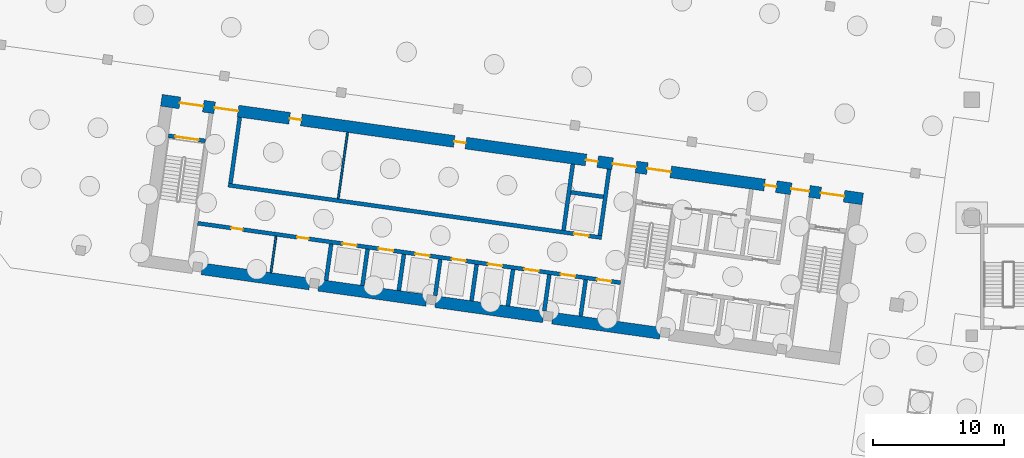
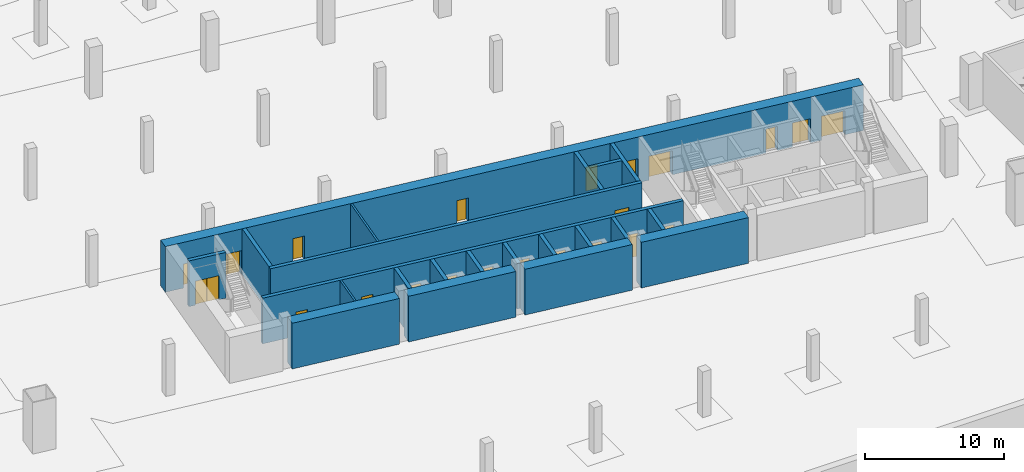
# One storey, part 5 of 19: 22 doors, 22 walls, 22 openings.
"""IFC4 building model written with IfcOpenShell, lengths in metres."""

from ifc_helpers import new_model, si_unit, direction, frame, frame_2d, origin, place, context, subcontext, project, spatial, rectangle, extrude, material, layer, layer_set, type_object, element, fill, save


model = new_model("IFC4")

# Units and contexts
model_context = context("Model", 3, precision=1e-05, world=origin(), true_north=direction((0.0, 1.0)))
body_context = subcontext(model_context, "Body", "Model", "MODEL_VIEW")
ifc_project = project(units=[si_unit("LENGTHUNIT", "METRE"), si_unit("AREAUNIT", "SQUARE_METRE"), si_unit("VOLUMEUNIT", "CUBIC_METRE"), si_unit("PLANEANGLEUNIT", "RADIAN"), si_unit("MASSUNIT", "GRAM", prefix="KILO")], contexts=[model_context])

# Site, building, storey
site_placement = place(None, origin())
site = spatial("IfcSite", under=ifc_project, at=site_placement, CompositionType="ELEMENT")
building_placement = place(site_placement, origin())
building = spatial("IfcBuilding", under=site, at=building_placement, Name="Mirante Cascada Hotel Towers", CompositionType="ELEMENT")
storey_placement = place(building_placement, frame((0.0, 0.0, -9.0)))
storey = spatial("IfcBuildingStorey", under=building, at=storey_placement, Name="B2", CompositionType="ELEMENT", Elevation=-9.0)

# Walls
ifc_material_1 = material(Name="Masonry block", Category="masonry")
ifc_layer_1 = layer(ifc_material_1, 0.15)
ifc_layer_set_1 = layer_set([ifc_layer_1], Name="Core room partition 150 block EI 30")
wall_type_1 = type_object("IfcWallType", Name="Core room partition 150 block EI 30", PredefinedType="PARTITIONING", material=ifc_layer_set_1)
wall_1_placement = place(storey_placement, frame((-80.448, -13.1879, 0.0), z_axis=(0.0, 0.0, 1.0), x_axis=(0.139176, 0.9902677, 0.0)))
element("IfcWall", 1, at=wall_1_placement, inside=storey, type_object=wall_type_1, Name="Core wall partition T1 B2 4", PredefinedType="PARTITIONING", context=body_context, shape_type="SweptSolid", body=[
    extrude(rectangle(XDim=2.8001, YDim=0.15, at=frame_2d((1.4, 0.0))), origin(), (0.0, 0.0, 1.0), 4.0),
])
wall_2_placement = place(storey_placement, frame((-75.3131, -7.5476, 0.0), z_axis=(0.0, 0.0, 1.0), x_axis=(0.1391782, 0.9902673, 0.0)))
element("IfcWall", 2, at=wall_2_placement, inside=storey, type_object=wall_type_1, Name="Core wall partition T1 B2 5", PredefinedType="PARTITIONING", context=body_context, shape_type="SweptSolid", body=[
    extrude(rectangle(XDim=5.0999, YDim=0.15, at=frame_2d((2.55, 0.0))), origin(), (0.0, 0.0, 1.0), 4.0),
])

# Wall, opening, door
ifc_material_2 = material(Name="Concrete C50/60", Category="concrete")
ifc_layer_2 = layer(ifc_material_2, 0.3)
ifc_layer_set_2 = layer_set([ifc_layer_2], Name="RC core wall 300 C50/60")
wall_type_2 = type_object("IfcWallType", Name="RC core wall 300 C50/60", PredefinedType="SHEAR", material=ifc_layer_set_2)
wall_3_placement = place(storey_placement, frame((-85.4489, -3.1441, 0.0), z_axis=(0.0, 0.0, 1.0), x_axis=(-0.9902697, 0.1391613, 0.0)))
wall_3 = element("IfcWall", 3, at=wall_3_placement, inside=storey, type_object=wall_type_2, Name="Core wall T1:B2:11", PredefinedType="SHEAR", context=body_context, shape_type="SweptSolid", body=[
    extrude(rectangle(XDim=2.8499, YDim=0.3, at=frame_2d((1.425, 0.0))), origin(), (0.0, 0.0, 1.0), 4.0),
])
opening_1_placement = place(wall_3_placement, frame((0.525, 0.0, 0.0)))
opening_1 = element("IfcOpeningElement", 4, at=opening_1_placement, cuts=wall_3, Name="Opening D1-B2-C20", PredefinedType="OPENING", context=body_context, shape_type="SweptSolid", body=[
    extrude(rectangle(XDim=1.8, YDim=2.1, at=frame_2d((0.9, 1.05))), frame((0.0, 0.15, 0.0), z_axis=(0.0, -1.0, 0.0), x_axis=(1.0, 0.0, 0.0)), (0.0, 0.0, 1.0), 0.3),
])
ifc_material_3 = material(Name="Hollow metal fire door leaf")
door_type_1 = type_object("IfcDoorType", Name="Double fire door 1800x2100 FD60", OperationType="DOUBLE_DOOR_SINGLE_SWING", PredefinedType="DOOR", material=ifc_material_3)
door_1_placement = place(opening_1_placement, origin())
door_1 = element("IfcDoor", 5, at=door_1_placement, inside=storey, type_object=door_type_1, Name="Stair door T1 B2 20", OperationType="DOUBLE_DOOR_SINGLE_SWING", OverallHeight=2.1, OverallWidth=1.8, PredefinedType="DOOR", context=body_context, shape_type="SweptSolid", body=[
    extrude(rectangle(XDim=0.895, YDim=2.1, at=frame_2d((0.4475, 1.05))), frame((0.0, 0.025, 0.0), z_axis=(0.0, -1.0, 0.0), x_axis=(1.0, 0.0, 0.0)), (0.0, 0.0, 1.0), 0.05),
    extrude(rectangle(XDim=0.895, YDim=2.1, at=frame_2d((1.3525, 1.05))), frame((0.0, 0.025, 0.0), z_axis=(0.0, -1.0, 0.0), x_axis=(1.0, 0.0, 0.0)), (0.0, 0.0, 1.0), 0.05),
])
fill(opening_1, door_1)

# Wall, openings, doors
wall_4_placement = place(storey_placement, frame((-53.7953, -13.9547, 0.0), z_axis=(0.0, 0.0, 1.0), x_axis=(-0.990268, 0.1391733, 0.0)))
wall_4 = element("IfcWall", 6, at=wall_4_placement, inside=storey, type_object=wall_type_2, Name="Core wall T1:B2:24", PredefinedType="SHEAR", context=body_context, shape_type="SweptSolid", body=[
    extrude(rectangle(XDim=32.5501, YDim=0.3, at=frame_2d((16.275, 0.0))), origin(), (0.0, 0.0, 1.0), 4.0),
])
opening_2_placement = place(wall_4_placement, frame((0.7, 0.0, 0.0)))
opening_2 = element("IfcOpeningElement", 7, at=opening_2_placement, cuts=wall_4, Name="Opening LD", PredefinedType="OPENING", context=body_context, shape_type="SweptSolid", body=[
    extrude(rectangle(XDim=1.1, YDim=2.1, at=frame_2d((0.55, 1.05))), frame((0.0, 0.15, 0.0), z_axis=(0.0, -1.0, 0.0), x_axis=(1.0, 0.0, 0.0)), (0.0, 0.0, 1.0), 0.3),
])
opening_3_placement = place(wall_4_placement, frame((3.5, 0.0, 0.0)))
opening_3 = element("IfcOpeningElement", 8, at=opening_3_placement, cuts=wall_4, Name="Opening LD", PredefinedType="OPENING", context=body_context, shape_type="SweptSolid", body=[
    extrude(rectangle(XDim=1.1, YDim=2.1, at=frame_2d((0.55, 1.05))), frame((0.0, 0.15, 0.0), z_axis=(0.0, -1.0, 0.0), x_axis=(1.0, 0.0, 0.0)), (0.0, 0.0, 1.0), 0.3),
])
opening_4_placement = place(wall_4_placement, frame((6.3, 0.0, 0.0)))
opening_4 = element("IfcOpeningElement", 9, at=opening_4_placement, cuts=wall_4, Name="Opening LD", PredefinedType="OPENING", context=body_context, shape_type="SweptSolid", body=[
    extrude(rectangle(XDim=1.1, YDim=2.1, at=frame_2d((0.55, 1.05))), frame((0.0, 0.15, 0.0), z_axis=(0.0, -1.0, 0.0), x_axis=(1.0, 0.0, 0.0)), (0.0, 0.0, 1.0), 0.3),
])
opening_5_placement = place(wall_4_placement, frame((9.1, 0.0, 0.0)))
opening_5 = element("IfcOpeningElement", 10, at=opening_5_placement, cuts=wall_4, Name="Opening LD", PredefinedType="OPENING", context=body_context, shape_type="SweptSolid", body=[
    extrude(rectangle(XDim=1.1, YDim=2.1, at=frame_2d((0.55, 1.05))), frame((0.0, 0.15, 0.0), z_axis=(0.0, -1.0, 0.0), x_axis=(1.0, 0.0, 0.0)), (0.0, 0.0, 1.0), 0.3),
])
opening_6_placement = place(wall_4_placement, frame((11.9, 0.0, 0.0)))
opening_6 = element("IfcOpeningElement", 11, at=opening_6_placement, cuts=wall_4, Name="Opening LD", PredefinedType="OPENING", context=body_context, shape_type="SweptSolid", body=[
    extrude(rectangle(XDim=1.1, YDim=2.1, at=frame_2d((0.55, 1.05))), frame((0.0, 0.15, 0.0), z_axis=(0.0, -1.0, 0.0), x_axis=(1.0, 0.0, 0.0)), (0.0, 0.0, 1.0), 0.3),
])
opening_7_placement = place(wall_4_placement, frame((14.7, 0.0, 0.0)))
opening_7 = element("IfcOpeningElement", 12, at=opening_7_placement, cuts=wall_4, Name="Opening LD", PredefinedType="OPENING", context=body_context, shape_type="SweptSolid", body=[
    extrude(rectangle(XDim=1.1, YDim=2.1, at=frame_2d((0.55, 1.05))), frame((0.0, 0.15, 0.0), z_axis=(0.0, -1.0, 0.0), x_axis=(1.0, 0.0, 0.0)), (0.0, 0.0, 1.0), 0.3),
])
opening_8_placement = place(wall_4_placement, frame((17.5, 0.0, 0.0)))
opening_8 = element("IfcOpeningElement", 13, at=opening_8_placement, cuts=wall_4, Name="Opening LD", PredefinedType="OPENING", context=body_context, shape_type="SweptSolid", body=[
    extrude(rectangle(XDim=1.1, YDim=2.1, at=frame_2d((0.55, 1.05))), frame((0.0, 0.15, 0.0), z_axis=(0.0, -1.0, 0.0), x_axis=(1.0, 0.0, 0.0)), (0.0, 0.0, 1.0), 0.3),
])
opening_9_placement = place(wall_4_placement, frame((20.3, 0.0, 0.0)))
opening_9 = element("IfcOpeningElement", 14, at=opening_9_placement, cuts=wall_4, Name="Opening LD", PredefinedType="OPENING", context=body_context, shape_type="SweptSolid", body=[
    extrude(rectangle(XDim=1.1, YDim=2.1, at=frame_2d((0.55, 1.05))), frame((0.0, 0.15, 0.0), z_axis=(0.0, -1.0, 0.0), x_axis=(1.0, 0.0, 0.0)), (0.0, 0.0, 1.0), 0.3),
])
opening_10_placement = place(wall_4_placement, frame((24.0, 0.0, 0.0)))
opening_10 = element("IfcOpeningElement", 15, at=opening_10_placement, cuts=wall_4, Name="Opening D1-B2-C28", PredefinedType="OPENING", context=body_context, shape_type="SweptSolid", body=[
    extrude(rectangle(XDim=0.9, YDim=2.1, at=frame_2d((0.45, 1.05))), frame((0.0, 0.15, 0.0), z_axis=(0.0, -1.0, 0.0), x_axis=(1.0, 0.0, 0.0)), (0.0, 0.0, 1.0), 0.3),
])
opening_11_placement = place(wall_4_placement, frame((29.075, 0.0, 0.0)))
opening_11 = element("IfcOpeningElement", 16, at=opening_11_placement, cuts=wall_4, Name="Opening D1-B2-C29", PredefinedType="OPENING", context=body_context, shape_type="SweptSolid", body=[
    extrude(rectangle(XDim=0.9, YDim=2.1, at=frame_2d((0.45, 1.05))), frame((0.0, 0.15, 0.0), z_axis=(0.0, -1.0, 0.0), x_axis=(1.0, 0.0, 0.0)), (0.0, 0.0, 1.0), 0.3),
])
ifc_material_4 = material(Name="Hollow metal fire door leaf")
door_type_2 = type_object("IfcDoorType", Name="Fire door 900x2100 FD60", OperationType="NOTDEFINED", PredefinedType="DOOR", material=ifc_material_4)
door_2_placement = place(opening_10_placement, origin())
door_2 = element("IfcDoor", 17, at=door_2_placement, inside=storey, type_object=door_type_2, Name="Room door T1 B2 28", OperationType="SINGLE_SWING_LEFT", OverallHeight=2.1, OverallWidth=0.9, PredefinedType="DOOR", context=body_context, shape_type="SweptSolid", body=[
    extrude(rectangle(XDim=0.9, YDim=2.1, at=frame_2d((0.45, 1.05))), frame((0.0, 0.025, 0.0), z_axis=(0.0, -1.0, 0.0), x_axis=(1.0, 0.0, 0.0)), (0.0, 0.0, 1.0), 0.05),
])
fill(opening_10, door_2)
door_3_placement = place(opening_11_placement, origin())
door_3 = element("IfcDoor", 18, at=door_3_placement, inside=storey, type_object=door_type_2, Name="Room door T1 B2 29", OperationType="SINGLE_SWING_LEFT", OverallHeight=2.1, OverallWidth=0.9, PredefinedType="DOOR", context=body_context, shape_type="SweptSolid", body=[
    extrude(rectangle(XDim=0.9, YDim=2.1, at=frame_2d((0.45, 1.05))), frame((0.0, 0.025, 0.0), z_axis=(0.0, -1.0, 0.0), x_axis=(1.0, 0.0, 0.0)), (0.0, 0.0, 1.0), 0.05),
])
fill(opening_11, door_3)
ifc_material_5 = material(Name="Stainless steel", Category="steel")
door_type_3 = type_object("IfcDoorType", Name="Lift landing door 1100x2100 EI 120", OperationType="DOUBLE_DOOR_SLIDING", PredefinedType="DOOR", material=ifc_material_5)
door_4_placement = place(opening_2_placement, origin())
door_4 = element("IfcDoor", 19, at=door_4_placement, inside=storey, type_object=door_type_3, Name="Lift landing door LR1-1 B2", OperationType="DOUBLE_DOOR_SLIDING", OverallHeight=2.1, OverallWidth=1.1, PredefinedType="DOOR", context=body_context, shape_type="SweptSolid", body=[
    extrude(rectangle(XDim=0.545, YDim=2.1, at=frame_2d((0.2725, 1.05))), frame((0.0, 0.025, 0.0), z_axis=(0.0, -1.0, 0.0), x_axis=(1.0, 0.0, 0.0)), (0.0, 0.0, 1.0), 0.05),
    extrude(rectangle(XDim=0.545, YDim=2.1, at=frame_2d((0.8275, 1.05))), frame((0.0, 0.025, 0.0), z_axis=(0.0, -1.0, 0.0), x_axis=(1.0, 0.0, 0.0)), (0.0, 0.0, 1.0), 0.05),
])
fill(opening_2, door_4)
door_5_placement = place(opening_3_placement, origin())
door_5 = element("IfcDoor", 20, at=door_5_placement, inside=storey, type_object=door_type_3, Name="Lift landing door LR1-2 B2", OperationType="DOUBLE_DOOR_SLIDING", OverallHeight=2.1, OverallWidth=1.1, PredefinedType="DOOR", context=body_context, shape_type="SweptSolid", body=[
    extrude(rectangle(XDim=0.545, YDim=2.1, at=frame_2d((0.2725, 1.05))), frame((0.0, 0.025, 0.0), z_axis=(0.0, -1.0, 0.0), x_axis=(1.0, 0.0, 0.0)), (0.0, 0.0, 1.0), 0.05),
    extrude(rectangle(XDim=0.545, YDim=2.1, at=frame_2d((0.8275, 1.05))), frame((0.0, 0.025, 0.0), z_axis=(0.0, -1.0, 0.0), x_axis=(1.0, 0.0, 0.0)), (0.0, 0.0, 1.0), 0.05),
])
fill(opening_3, door_5)
door_6_placement = place(opening_4_placement, origin())
door_6 = element("IfcDoor", 21, at=door_6_placement, inside=storey, type_object=door_type_3, Name="Lift landing door SV1-1 B2", OperationType="DOUBLE_DOOR_SLIDING", OverallHeight=2.1, OverallWidth=1.1, PredefinedType="DOOR", context=body_context, shape_type="SweptSolid", body=[
    extrude(rectangle(XDim=0.545, YDim=2.1, at=frame_2d((0.2725, 1.05))), frame((0.0, 0.025, 0.0), z_axis=(0.0, -1.0, 0.0), x_axis=(1.0, 0.0, 0.0)), (0.0, 0.0, 1.0), 0.05),
    extrude(rectangle(XDim=0.545, YDim=2.1, at=frame_2d((0.8275, 1.05))), frame((0.0, 0.025, 0.0), z_axis=(0.0, -1.0, 0.0), x_axis=(1.0, 0.0, 0.0)), (0.0, 0.0, 1.0), 0.05),
])
fill(opening_4, door_6)
door_7_placement = place(opening_5_placement, origin())
door_7 = element("IfcDoor", 22, at=door_7_placement, inside=storey, type_object=door_type_3, Name="Lift landing door SV1-2 B2", OperationType="DOUBLE_DOOR_SLIDING", OverallHeight=2.1, OverallWidth=1.1, PredefinedType="DOOR", context=body_context, shape_type="SweptSolid", body=[
    extrude(rectangle(XDim=0.545, YDim=2.1, at=frame_2d((0.2725, 1.05))), frame((0.0, 0.025, 0.0), z_axis=(0.0, -1.0, 0.0), x_axis=(1.0, 0.0, 0.0)), (0.0, 0.0, 1.0), 0.05),
    extrude(rectangle(XDim=0.545, YDim=2.1, at=frame_2d((0.8275, 1.05))), frame((0.0, 0.025, 0.0), z_axis=(0.0, -1.0, 0.0), x_axis=(1.0, 0.0, 0.0)), (0.0, 0.0, 1.0), 0.05),
])
fill(opening_5, door_7)
door_8_placement = place(opening_6_placement, origin())
door_8 = element("IfcDoor", 23, at=door_8_placement, inside=storey, type_object=door_type_3, Name="Lift landing door SV1-3 B2", OperationType="DOUBLE_DOOR_SLIDING", OverallHeight=2.1, OverallWidth=1.1, PredefinedType="DOOR", context=body_context, shape_type="SweptSolid", body=[
    extrude(rectangle(XDim=0.545, YDim=2.1, at=frame_2d((0.2725, 1.05))), frame((0.0, 0.025, 0.0), z_axis=(0.0, -1.0, 0.0), x_axis=(1.0, 0.0, 0.0)), (0.0, 0.0, 1.0), 0.05),
    extrude(rectangle(XDim=0.545, YDim=2.1, at=frame_2d((0.8275, 1.05))), frame((0.0, 0.025, 0.0), z_axis=(0.0, -1.0, 0.0), x_axis=(1.0, 0.0, 0.0)), (0.0, 0.0, 1.0), 0.05),
])
fill(opening_6, door_8)
door_9_placement = place(opening_7_placement, origin())
door_9 = element("IfcDoor", 24, at=door_9_placement, inside=storey, type_object=door_type_3, Name="Lift landing door SV1-4 B2", OperationType="DOUBLE_DOOR_SLIDING", OverallHeight=2.1, OverallWidth=1.1, PredefinedType="DOOR", context=body_context, shape_type="SweptSolid", body=[
    extrude(rectangle(XDim=0.545, YDim=2.1, at=frame_2d((0.2725, 1.05))), frame((0.0, 0.025, 0.0), z_axis=(0.0, -1.0, 0.0), x_axis=(1.0, 0.0, 0.0)), (0.0, 0.0, 1.0), 0.05),
    extrude(rectangle(XDim=0.545, YDim=2.1, at=frame_2d((0.8275, 1.05))), frame((0.0, 0.025, 0.0), z_axis=(0.0, -1.0, 0.0), x_axis=(1.0, 0.0, 0.0)), (0.0, 0.0, 1.0), 0.05),
])
fill(opening_7, door_9)
door_10_placement = place(opening_8_placement, origin())
door_10 = element("IfcDoor", 25, at=door_10_placement, inside=storey, type_object=door_type_3, Name="Lift landing door PS1-1 B2", OperationType="DOUBLE_DOOR_SLIDING", OverallHeight=2.1, OverallWidth=1.1, PredefinedType="DOOR", context=body_context, shape_type="SweptSolid", body=[
    extrude(rectangle(XDim=0.545, YDim=2.1, at=frame_2d((0.2725, 1.05))), frame((0.0, 0.025, 0.0), z_axis=(0.0, -1.0, 0.0), x_axis=(1.0, 0.0, 0.0)), (0.0, 0.0, 1.0), 0.05),
    extrude(rectangle(XDim=0.545, YDim=2.1, at=frame_2d((0.8275, 1.05))), frame((0.0, 0.025, 0.0), z_axis=(0.0, -1.0, 0.0), x_axis=(1.0, 0.0, 0.0)), (0.0, 0.0, 1.0), 0.05),
])
fill(opening_8, door_10)
door_11_placement = place(opening_9_placement, origin())
door_11 = element("IfcDoor", 26, at=door_11_placement, inside=storey, type_object=door_type_3, Name="Lift landing door PS1-2 B2", OperationType="DOUBLE_DOOR_SLIDING", OverallHeight=2.1, OverallWidth=1.1, PredefinedType="DOOR", context=body_context, shape_type="SweptSolid", body=[
    extrude(rectangle(XDim=0.545, YDim=2.1, at=frame_2d((0.2725, 1.05))), frame((0.0, 0.025, 0.0), z_axis=(0.0, -1.0, 0.0), x_axis=(1.0, 0.0, 0.0)), (0.0, 0.0, 1.0), 0.05),
    extrude(rectangle(XDim=0.545, YDim=2.1, at=frame_2d((0.8275, 1.05))), frame((0.0, 0.025, 0.0), z_axis=(0.0, -1.0, 0.0), x_axis=(1.0, 0.0, 0.0)), (0.0, 0.0, 1.0), 0.05),
])
fill(opening_9, door_11)

# Walls
for number, where, z_axis, x_axis, name in (
    (27, (-56.8301, -16.5072, 0.0), (0.0, 0.0, 1.0), (0.139176, 0.9902677, 0.0), "Core wall T1:B2:25"),
    (28, (-59.6029, -16.1175, 0.0), (0.0, 0.0, 1.0), (0.139176, 0.9902677, 0.0), "Core wall T1:B2:26"),
    (29, (-62.3756, -15.7278, 0.0), (0.0, 0.0, 1.0), (0.139176, 0.9902677, 0.0), "Core wall T1:B2:27"),
    (30, (-65.1484, -15.3381, 0.0), (0.0, 0.0, 1.0), (0.139176, 0.9902677, 0.0), "Core wall T1:B2:28"),
):
    element("IfcWall", number, at=place(storey_placement, frame(where, z_axis=z_axis, x_axis=x_axis)), inside=storey, type_object=wall_type_2, Name=name, PredefinedType="SHEAR", context=body_context, shape_type="SweptSolid", body=[
        extrude(rectangle(XDim=2.8001, YDim=0.3, at=frame_2d((1.4, 0.0))), origin(), (0.0, 0.0, 1.0), 4.0),
    ])
for number, where, z_axis, x_axis, name in (
    (31, (-67.9211, -14.9484, 0.0), (0.0, 0.0, 1.0), (0.139181, 0.990267, 0.0), "Core wall T1:B2:29"),
    (32, (-70.6939, -14.5587, 0.0), (0.0, 0.0, 1.0), (0.139181, 0.990267, 0.0), "Core wall T1:B2:30"),
    (33, (-73.4666, -14.169, 0.0), (0.0, 0.0, 1.0), (0.139181, 0.990267, 0.0), "Core wall T1:B2:31"),
):
    element("IfcWall", number, at=place(storey_placement, frame(where, z_axis=z_axis, x_axis=x_axis)), inside=storey, type_object=wall_type_2, Name=name, PredefinedType="SHEAR", context=body_context, shape_type="SweptSolid", body=[
        extrude(rectangle(XDim=2.8, YDim=0.3, at=frame_2d((1.4, 0.0))), origin(), (0.0, 0.0, 1.0), 4.0),
    ])
wall_5_placement = place(storey_placement, frame((-76.2394, -13.7794, 0.0), z_axis=(0.0, 0.0, 1.0), x_axis=(0.139176, 0.9902677, 0.0)))
element("IfcWall", 34, at=wall_5_placement, inside=storey, type_object=wall_type_2, Name="Core wall T1:B2:32", PredefinedType="SHEAR", context=body_context, shape_type="SweptSolid", body=[
    extrude(rectangle(XDim=2.8001, YDim=0.3, at=frame_2d((1.4, 0.0))), origin(), (0.0, 0.0, 1.0), 4.0),
])

# Wall, opening, door
wall_6_placement = place(storey_placement, frame((-55.2315, -10.5214, 0.0), z_axis=(0.0, 0.0, 1.0), x_axis=(-0.9902682, 0.1391722, 0.0)))
wall_6 = element("IfcWall", 35, at=wall_6_placement, inside=storey, type_object=wall_type_2, Name="Core wall T1:B2:34", PredefinedType="SHEAR", context=body_context, shape_type="SweptSolid", body=[
    extrude(rectangle(XDim=28.75, YDim=0.3, at=frame_2d((14.375, 0.0))), origin(), (0.0, 0.0, 1.0), 4.0),
])
opening_12_placement = place(wall_6_placement, frame((1.0, 0.0, 0.0)))
opening_12 = element("IfcOpeningElement", 36, at=opening_12_placement, cuts=wall_6, Name="Opening LD", PredefinedType="OPENING", context=body_context, shape_type="SweptSolid", body=[
    extrude(rectangle(XDim=1.1, YDim=2.1, at=frame_2d((0.55, 1.05))), frame((0.0, 0.15, 0.0), z_axis=(0.0, -1.0, 0.0), x_axis=(1.0, 0.0, 0.0)), (0.0, 0.0, 1.0), 0.3),
])
door_12_placement = place(opening_12_placement, origin())
door_12 = element("IfcDoor", 37, at=door_12_placement, inside=storey, type_object=door_type_3, Name="Lift landing door LR1-3 B2", OperationType="DOUBLE_DOOR_SLIDING", OverallHeight=2.1, OverallWidth=1.1, PredefinedType="DOOR", context=body_context, shape_type="SweptSolid", body=[
    extrude(rectangle(XDim=0.545, YDim=2.1, at=frame_2d((0.2725, 1.05))), frame((0.0, 0.025, 0.0), z_axis=(0.0, -1.0, 0.0), x_axis=(1.0, 0.0, 0.0)), (0.0, 0.0, 1.0), 0.05),
    extrude(rectangle(XDim=0.545, YDim=2.1, at=frame_2d((0.8275, 1.05))), frame((0.0, 0.025, 0.0), z_axis=(0.0, -1.0, 0.0), x_axis=(1.0, 0.0, 0.0)), (0.0, 0.0, 1.0), 0.05),
])
fill(opening_12, door_12)

# Walls
for number, where, z_axis, x_axis, name in (
    (38, (-55.3592, -10.352, 0.0), (0.0, 0.0, 1.0), (0.1391755, 0.9902677, 0.0), "Core wall T1:B2:35"),
    (39, (-83.5323, -6.3925, 0.0), (0.0, 0.0, 1.0), (0.1391755, 0.9902677, 0.0), "Core wall T1:B2:36"),
    (40, (-58.1319, -9.9623, 0.0), (0.0, 0.0, 1.0), (0.1391755, 0.9902677, 0.0), "Core wall T1:B2:37"),
):
    element("IfcWall", number, at=place(storey_placement, frame(where, z_axis=z_axis, x_axis=x_axis)), inside=storey, type_object=wall_type_2, Name=name, PredefinedType="SHEAR", context=body_context, shape_type="SweptSolid", body=[
        extrude(rectangle(XDim=5.1, YDim=0.3, at=frame_2d((2.55, 0.0))), origin(), (0.0, 0.0, 1.0), 4.0),
    ])
wall_7_placement = place(storey_placement, frame((-55.0971, -7.4098, 0.0), z_axis=(0.0, 0.0, 1.0), x_axis=(-0.9902701, 0.1391586, 0.0)))
element("IfcWall", 41, at=wall_7_placement, inside=storey, type_object=wall_type_2, Name="Core wall T1:B2:38", PredefinedType="SHEAR", context=body_context, shape_type="SweptSolid", body=[
    extrude(rectangle(XDim=2.5, YDim=0.3, at=frame_2d((1.25, 0.0))), origin(), (0.0, 0.0, 1.0), 4.0),
])
ifc_material_6 = material(Name="Concrete C50/60", Category="concrete")
ifc_layer_3 = layer(ifc_material_6, 0.9)
ifc_layer_set_3 = layer_set([ifc_layer_3], Name="RC core wall 900 C50/60")
wall_type_3 = type_object("IfcWallType", Name="RC core wall 900 C50/60", PredefinedType="SHEAR", material=ifc_layer_set_3)
for number, where, z_axis, x_axis, name in (
    (42, (-50.7531, -17.8156, 0.0), (0.0, 0.0, 1.0), (-0.9902686, 0.1391692, 0.0), "Core wall T1:B2:1.3"),
    (43, (-59.6655, -16.5631, 0.0), (0.0, 0.0, 1.0), (-0.9902686, 0.1391692, 0.0), "Core wall T1:B2:1.4"),
    (44, (-68.5779, -15.3105, 0.0), (0.0, 0.0, 1.0), (-0.9902686, 0.1391692, 0.0), "Core wall T1:B2:1.5"),
    (45, (-77.4903, -14.058, 0.0), (0.0, 0.0, 1.0), (-0.990267, 0.139181, 0.0), "Core wall T1:B2:1.6"),
):
    element("IfcWall", number, at=place(storey_placement, frame(where, z_axis=z_axis, x_axis=x_axis)), inside=storey, type_object=wall_type_3, Name=name, PredefinedType="SHEAR", context=body_context, shape_type="SweptSolid", body=[
        extrude(rectangle(XDim=8.3, YDim=0.9, at=frame_2d((4.15, 0.0))), origin(), (0.0, 0.0, 1.0), 4.0),
    ])

# Wall, openings, doors
wall_8_placement = place(storey_placement, frame((-35.326, -7.5629, 0.0), z_axis=(0.0, 0.0, 1.0), x_axis=(-0.9902679, 0.139174, 0.0)))
wall_8 = element("IfcWall", 46, at=wall_8_placement, inside=storey, type_object=wall_type_3, Name="Core wall T1:B2:2", PredefinedType="SHEAR", context=body_context, shape_type="SweptSolid", body=[
    extrude(rectangle(XDim=54.0, YDim=0.9, at=frame_2d((27.0, 0.0))), origin(), (0.0, 0.0, 1.0), 4.0),
])
opening_13_placement = place(wall_8_placement, frame((1.425, 0.0, 0.0)))
opening_13 = element("IfcOpeningElement", 47, at=opening_13_placement, cuts=wall_8, Name="Opening D1-B2-C17", PredefinedType="OPENING", context=body_context, shape_type="SweptSolid", body=[
    extrude(rectangle(XDim=1.8, YDim=2.1, at=frame_2d((0.9, 1.05))), frame((0.0, 0.45, 0.0), z_axis=(0.0, -1.0, 0.0), x_axis=(1.0, 0.0, 0.0)), (0.0, 0.0, 1.0), 0.9),
])
opening_14_placement = place(wall_8_placement, frame((14.775, 0.0, 0.0)))
opening_14 = element("IfcOpeningElement", 48, at=opening_14_placement, cuts=wall_8, Name="Opening D1-B2-C19", PredefinedType="OPENING", context=body_context, shape_type="SweptSolid", body=[
    extrude(rectangle(XDim=1.8, YDim=2.1, at=frame_2d((0.9, 1.05))), frame((0.0, 0.45, 0.0), z_axis=(0.0, -1.0, 0.0), x_axis=(1.0, 0.0, 0.0)), (0.0, 0.0, 1.0), 0.9),
])
opening_15_placement = place(wall_8_placement, frame((50.775, 0.0, 0.0)))
opening_15 = element("IfcOpeningElement", 49, at=opening_15_placement, cuts=wall_8, Name="Opening D1-B2-C21", PredefinedType="OPENING", context=body_context, shape_type="SweptSolid", body=[
    extrude(rectangle(XDim=1.8, YDim=2.1, at=frame_2d((0.9, 1.05))), frame((0.0, 0.45, 0.0), z_axis=(0.0, -1.0, 0.0), x_axis=(1.0, 0.0, 0.0)), (0.0, 0.0, 1.0), 0.9),
])
opening_16_placement = place(wall_8_placement, frame((4.1, 0.0, 0.0)))
opening_16 = element("IfcOpeningElement", 50, at=opening_16_placement, cuts=wall_8, Name="Opening D1-B2-C22", PredefinedType="OPENING", context=body_context, shape_type="SweptSolid", body=[
    extrude(rectangle(XDim=1.4, YDim=2.1, at=frame_2d((0.7, 1.05))), frame((0.0, 0.45, 0.0), z_axis=(0.0, -1.0, 0.0), x_axis=(1.0, 0.0, 0.0)), (0.0, 0.0, 1.0), 0.9),
])
opening_17_placement = place(wall_8_placement, frame((17.45, 0.0, 0.0)))
opening_17 = element("IfcOpeningElement", 51, at=opening_17_placement, cuts=wall_8, Name="Opening D1-B2-C23", PredefinedType="OPENING", context=body_context, shape_type="SweptSolid", body=[
    extrude(rectangle(XDim=1.8, YDim=2.1, at=frame_2d((0.9, 1.05))), frame((0.0, 0.45, 0.0), z_axis=(0.0, -1.0, 0.0), x_axis=(1.0, 0.0, 0.0)), (0.0, 0.0, 1.0), 0.9),
])
opening_18_placement = place(wall_8_placement, frame((48.1, 0.0, 0.0)))
opening_18 = element("IfcOpeningElement", 52, at=opening_18_placement, cuts=wall_8, Name="Opening D1-B2-C24", PredefinedType="OPENING", context=body_context, shape_type="SweptSolid", body=[
    extrude(rectangle(XDim=1.8, YDim=2.1, at=frame_2d((0.9, 1.05))), frame((0.0, 0.45, 0.0), z_axis=(0.0, -1.0, 0.0), x_axis=(1.0, 0.0, 0.0)), (0.0, 0.0, 1.0), 0.9),
])
opening_19_placement = place(wall_8_placement, frame((6.65, 0.0, 0.0)))
opening_19 = element("IfcOpeningElement", 53, at=opening_19_placement, cuts=wall_8, Name="Opening D1-B2-C27", PredefinedType="OPENING", context=body_context, shape_type="SweptSolid", body=[
    extrude(rectangle(XDim=0.9, YDim=2.1, at=frame_2d((0.45, 1.05))), frame((0.0, 0.45, 0.0), z_axis=(0.0, -1.0, 0.0), x_axis=(1.0, 0.0, 0.0)), (0.0, 0.0, 1.0), 0.9),
])
opening_20_placement = place(wall_8_placement, frame((20.4, 0.0, 0.0)))
opening_20 = element("IfcOpeningElement", 54, at=opening_20_placement, cuts=wall_8, Name="Opening D1-B2-C30", PredefinedType="OPENING", context=body_context, shape_type="SweptSolid", body=[
    extrude(rectangle(XDim=0.9, YDim=2.1, at=frame_2d((0.45, 1.05))), frame((0.0, 0.45, 0.0), z_axis=(0.0, -1.0, 0.0), x_axis=(1.0, 0.0, 0.0)), (0.0, 0.0, 1.0), 0.9),
])
opening_21_placement = place(wall_8_placement, frame((30.55, 0.0, 0.0)))
opening_21 = element("IfcOpeningElement", 55, at=opening_21_placement, cuts=wall_8, Name="Opening D1-B2-C31", PredefinedType="OPENING", context=body_context, shape_type="SweptSolid", body=[
    extrude(rectangle(XDim=0.9, YDim=2.1, at=frame_2d((0.45, 1.05))), frame((0.0, 0.45, 0.0), z_axis=(0.0, -1.0, 0.0), x_axis=(1.0, 0.0, 0.0)), (0.0, 0.0, 1.0), 0.9),
])
opening_22_placement = place(wall_8_placement, frame((43.225, 0.0, 0.0)))
opening_22 = element("IfcOpeningElement", 56, at=opening_22_placement, cuts=wall_8, Name="Opening D1-B2-C32", PredefinedType="OPENING", context=body_context, shape_type="SweptSolid", body=[
    extrude(rectangle(XDim=0.9, YDim=2.1, at=frame_2d((0.45, 1.05))), frame((0.0, 0.45, 0.0), z_axis=(0.0, -1.0, 0.0), x_axis=(1.0, 0.0, 0.0)), (0.0, 0.0, 1.0), 0.9),
])
ifc_material_7 = material(Name="Hollow metal fire door leaf")
door_type_4 = type_object("IfcDoorType", Name="Double fire door 1400x2100 FD60", OperationType="DOUBLE_DOOR_SINGLE_SWING", PredefinedType="DOOR", material=ifc_material_7)
door_13_placement = place(opening_16_placement, frame((1.4, 0.0, 0.0), z_axis=(0.0, 0.0, 1.0), x_axis=(-1.0, 0.0, 0.0)))
door_13 = element("IfcDoor", 57, at=door_13_placement, inside=storey, type_object=door_type_4, Name="Exit door to gallery T1 B2 22", OperationType="DOUBLE_DOOR_SINGLE_SWING", OverallHeight=2.1, OverallWidth=1.4, PredefinedType="DOOR", context=body_context, shape_type="SweptSolid", body=[
    extrude(rectangle(XDim=0.695, YDim=2.1, at=frame_2d((0.3475, 1.05))), frame((0.0, 0.025, 0.0), z_axis=(0.0, -1.0, 0.0), x_axis=(1.0, 0.0, 0.0)), (0.0, 0.0, 1.0), 0.05),
    extrude(rectangle(XDim=0.695, YDim=2.1, at=frame_2d((1.0525, 1.05))), frame((0.0, 0.025, 0.0), z_axis=(0.0, -1.0, 0.0), x_axis=(1.0, 0.0, 0.0)), (0.0, 0.0, 1.0), 0.05),
])
fill(opening_16, door_13)
door_14_placement = place(opening_13_placement, origin())
door_14 = element("IfcDoor", 58, at=door_14_placement, inside=storey, type_object=door_type_1, Name="Exit door to gallery T1 B2 17", OperationType="DOUBLE_DOOR_SINGLE_SWING", OverallHeight=2.1, OverallWidth=1.8, PredefinedType="DOOR", context=body_context, shape_type="SweptSolid", body=[
    extrude(rectangle(XDim=0.895, YDim=2.1, at=frame_2d((0.4475, 1.05))), frame((0.0, 0.025, 0.0), z_axis=(0.0, -1.0, 0.0), x_axis=(1.0, 0.0, 0.0)), (0.0, 0.0, 1.0), 0.05),
    extrude(rectangle(XDim=0.895, YDim=2.1, at=frame_2d((1.3525, 1.05))), frame((0.0, 0.025, 0.0), z_axis=(0.0, -1.0, 0.0), x_axis=(1.0, 0.0, 0.0)), (0.0, 0.0, 1.0), 0.05),
])
fill(opening_13, door_14)
door_15_placement = place(opening_14_placement, origin())
door_15 = element("IfcDoor", 59, at=door_15_placement, inside=storey, type_object=door_type_1, Name="Exit door to gallery T1 B2 19", OperationType="DOUBLE_DOOR_SINGLE_SWING", OverallHeight=2.1, OverallWidth=1.8, PredefinedType="DOOR", context=body_context, shape_type="SweptSolid", body=[
    extrude(rectangle(XDim=0.895, YDim=2.1, at=frame_2d((0.4475, 1.05))), frame((0.0, 0.025, 0.0), z_axis=(0.0, -1.0, 0.0), x_axis=(1.0, 0.0, 0.0)), (0.0, 0.0, 1.0), 0.05),
    extrude(rectangle(XDim=0.895, YDim=2.1, at=frame_2d((1.3525, 1.05))), frame((0.0, 0.025, 0.0), z_axis=(0.0, -1.0, 0.0), x_axis=(1.0, 0.0, 0.0)), (0.0, 0.0, 1.0), 0.05),
])
fill(opening_14, door_15)
door_16_placement = place(opening_15_placement, origin())
door_16 = element("IfcDoor", 60, at=door_16_placement, inside=storey, type_object=door_type_1, Name="Exit door to gallery T1 B2 21", OperationType="DOUBLE_DOOR_SINGLE_SWING", OverallHeight=2.1, OverallWidth=1.8, PredefinedType="DOOR", context=body_context, shape_type="SweptSolid", body=[
    extrude(rectangle(XDim=0.895, YDim=2.1, at=frame_2d((0.4475, 1.05))), frame((0.0, 0.025, 0.0), z_axis=(0.0, -1.0, 0.0), x_axis=(1.0, 0.0, 0.0)), (0.0, 0.0, 1.0), 0.05),
    extrude(rectangle(XDim=0.895, YDim=2.1, at=frame_2d((1.3525, 1.05))), frame((0.0, 0.025, 0.0), z_axis=(0.0, -1.0, 0.0), x_axis=(1.0, 0.0, 0.0)), (0.0, 0.0, 1.0), 0.05),
])
fill(opening_15, door_16)
door_17_placement = place(opening_17_placement, frame((1.8, 0.0, 0.0), z_axis=(0.0, 0.0, 1.0), x_axis=(-1.0, 0.0, 0.0)))
door_17 = element("IfcDoor", 61, at=door_17_placement, inside=storey, type_object=door_type_1, Name="Exit door to gallery T1 B2 23", OperationType="DOUBLE_DOOR_SINGLE_SWING", OverallHeight=2.1, OverallWidth=1.8, PredefinedType="DOOR", context=body_context, shape_type="SweptSolid", body=[
    extrude(rectangle(XDim=0.895, YDim=2.1, at=frame_2d((0.4475, 1.05))), frame((0.0, 0.025, 0.0), z_axis=(0.0, -1.0, 0.0), x_axis=(1.0, 0.0, 0.0)), (0.0, 0.0, 1.0), 0.05),
    extrude(rectangle(XDim=0.895, YDim=2.1, at=frame_2d((1.3525, 1.05))), frame((0.0, 0.025, 0.0), z_axis=(0.0, -1.0, 0.0), x_axis=(1.0, 0.0, 0.0)), (0.0, 0.0, 1.0), 0.05),
])
fill(opening_17, door_17)
door_18_placement = place(opening_18_placement, frame((1.8, 0.0, 0.0), z_axis=(0.0, 0.0, 1.0), x_axis=(-1.0, 0.0, 0.0)))
door_18 = element("IfcDoor", 62, at=door_18_placement, inside=storey, type_object=door_type_1, Name="Exit door to gallery T1 B2 24", OperationType="DOUBLE_DOOR_SINGLE_SWING", OverallHeight=2.1, OverallWidth=1.8, PredefinedType="DOOR", context=body_context, shape_type="SweptSolid", body=[
    extrude(rectangle(XDim=0.895, YDim=2.1, at=frame_2d((0.4475, 1.05))), frame((0.0, 0.025, 0.0), z_axis=(0.0, -1.0, 0.0), x_axis=(1.0, 0.0, 0.0)), (0.0, 0.0, 1.0), 0.05),
    extrude(rectangle(XDim=0.895, YDim=2.1, at=frame_2d((1.3525, 1.05))), frame((0.0, 0.025, 0.0), z_axis=(0.0, -1.0, 0.0), x_axis=(1.0, 0.0, 0.0)), (0.0, 0.0, 1.0), 0.05),
])
fill(opening_18, door_18)
door_19_placement = place(opening_19_placement, origin())
door_19 = element("IfcDoor", 63, at=door_19_placement, inside=storey, type_object=door_type_2, Name="Room door T1 B2 27", OperationType="SINGLE_SWING_RIGHT", OverallHeight=2.1, OverallWidth=0.9, PredefinedType="DOOR", context=body_context, shape_type="SweptSolid", body=[
    extrude(rectangle(XDim=0.9, YDim=2.1, at=frame_2d((0.45, 1.05))), frame((0.0, 0.025, 0.0), z_axis=(0.0, -1.0, 0.0), x_axis=(1.0, 0.0, 0.0)), (0.0, 0.0, 1.0), 0.05),
])
fill(opening_19, door_19)
door_20_placement = place(opening_20_placement, origin())
door_20 = element("IfcDoor", 64, at=door_20_placement, inside=storey, type_object=door_type_2, Name="Room door T1 B2 30", OperationType="SINGLE_SWING_RIGHT", OverallHeight=2.1, OverallWidth=0.9, PredefinedType="DOOR", context=body_context, shape_type="SweptSolid", body=[
    extrude(rectangle(XDim=0.9, YDim=2.1, at=frame_2d((0.45, 1.05))), frame((0.0, 0.025, 0.0), z_axis=(0.0, -1.0, 0.0), x_axis=(1.0, 0.0, 0.0)), (0.0, 0.0, 1.0), 0.05),
])
fill(opening_20, door_20)
door_21_placement = place(opening_21_placement, origin())
door_21 = element("IfcDoor", 65, at=door_21_placement, inside=storey, type_object=door_type_2, Name="Room door T1 B2 31", OperationType="SINGLE_SWING_LEFT", OverallHeight=2.1, OverallWidth=0.9, PredefinedType="DOOR", context=body_context, shape_type="SweptSolid", body=[
    extrude(rectangle(XDim=0.9, YDim=2.1, at=frame_2d((0.45, 1.05))), frame((0.0, 0.025, 0.0), z_axis=(0.0, -1.0, 0.0), x_axis=(1.0, 0.0, 0.0)), (0.0, 0.0, 1.0), 0.05),
])
fill(opening_21, door_21)
door_22_placement = place(opening_22_placement, origin())
door_22 = element("IfcDoor", 66, at=door_22_placement, inside=storey, type_object=door_type_2, Name="Room door T1 B2 32", OperationType="SINGLE_SWING_LEFT", OverallHeight=2.1, OverallWidth=0.9, PredefinedType="DOOR", context=body_context, shape_type="SweptSolid", body=[
    extrude(rectangle(XDim=0.9, YDim=2.1, at=frame_2d((0.45, 1.05))), frame((0.0, 0.025, 0.0), z_axis=(0.0, -1.0, 0.0), x_axis=(1.0, 0.0, 0.0)), (0.0, 0.0, 1.0), 0.05),
])
fill(opening_22, door_22)

save(model, "model.ifc")
